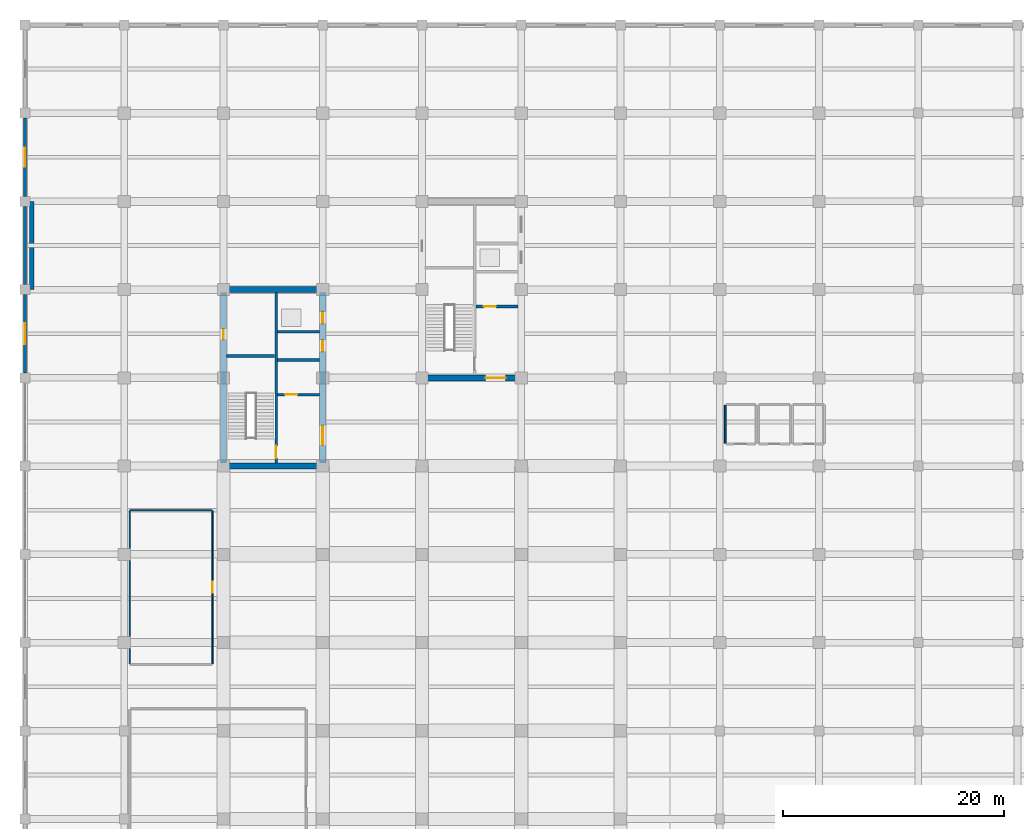
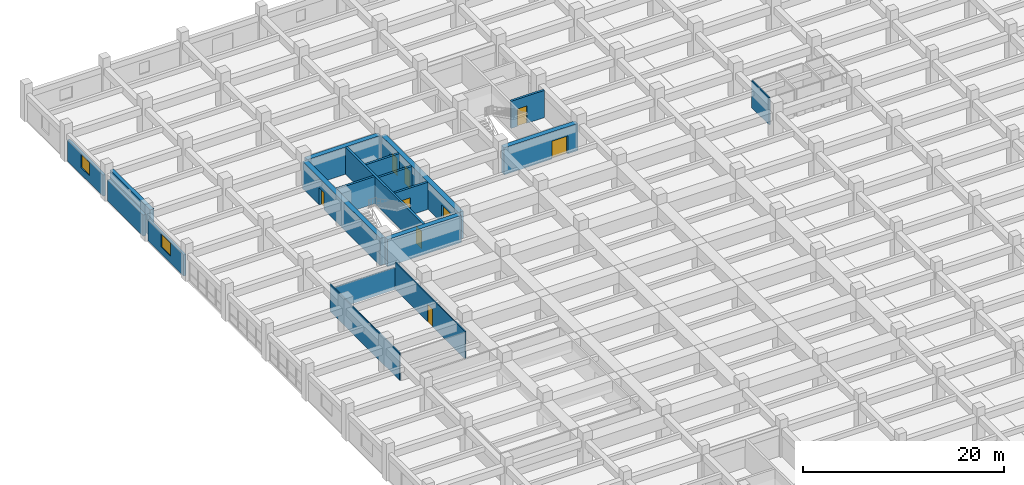
# One storey, part 24 of 40: 19 walls, 9 doors, 2 windows, 11 openings.
"""IFC4 building model written with IfcOpenShell, lengths in metres."""

from ifc_helpers import new_model, si_unit, direction, frame, frame_2d, origin, place, context, subcontext, project, spatial, rectangle, extrude, material, layer, layer_set, type_object, element, fill, save


model = new_model("IFC4")

# Units and contexts
model_context = context("Model", 3, precision=1e-05, world=origin(), true_north=direction((0.0, 1.0)))
body_context = subcontext(model_context, "Body", "Model", "MODEL_VIEW")
ifc_project = project(units=[si_unit("LENGTHUNIT", "METRE"), si_unit("AREAUNIT", "SQUARE_METRE"), si_unit("VOLUMEUNIT", "CUBIC_METRE"), si_unit("PLANEANGLEUNIT", "RADIAN"), si_unit("MASSUNIT", "GRAM", prefix="KILO")], contexts=[model_context])

# Site, building, storey
site_placement = place(None, origin())
site = spatial("IfcSite", under=ifc_project, at=site_placement, CompositionType="ELEMENT")
building_placement = place(site_placement, origin())
building = spatial("IfcBuilding", under=site, at=building_placement, Name="Zaverband Oceanarium and Marine Research Institute", CompositionType="ELEMENT")
storey_placement = place(building_placement, origin())
storey = spatial("IfcBuildingStorey", under=building, at=storey_placement, Name="L00", CompositionType="ELEMENT", Elevation=0.0)

# Walls
ifc_material_1 = material(Name="Concrete C50/60", Category="concrete")
ifc_layer_1 = layer(ifc_material_1, 0.550048828125, Name="Concrete C50/60")
ifc_layer_set_1 = layer_set([ifc_layer_1], Name="Concrete C50/60")
wall_type_1 = type_object("IfcWallType", Name="CW-01", PredefinedType="SHEAR", material=ifc_layer_set_1)
for number, where, z_axis, x_axis, name in (
    (1, (18.27490234375, 80.0, 0.0), (0.0, 0.0, 1.0), (1.0, 0.0, 0.0), "Structural shear wall CW-01"),
    (2, (18.27490234375, 96.0, 0.0), (0.0, 0.0, 1.0), (1.0, 0.0, 0.0), "Structural shear wall CW-01"),
):
    element("IfcWall", number, at=place(storey_placement, frame(where, z_axis=z_axis, x_axis=x_axis)), inside=storey, type_object=wall_type_1, Name=name, PredefinedType="SHEAR", context=body_context, shape_type="SweptSolid", body=[
        extrude(rectangle(XDim=8.4501953125, YDim=0.550048828125, at=frame_2d((4.22509765625, 0.0))), origin(), (0.0, 0.0, 1.0), 3.300048828125),
    ])

# Wall, opening, door
wall_1_placement = place(storey_placement, frame((18.0, 80.27490234375, 0.0), z_axis=(0.0, 0.0, 1.0), x_axis=(0.0, 1.0, 0.0)))
wall_1 = element("IfcWall", 3, at=wall_1_placement, inside=storey, type_object=wall_type_1, Name="Structural shear wall CW-01", PredefinedType="SHEAR", context=body_context, shape_type="SweptSolid", body=[
    extrude(rectangle(XDim=15.4501953125, YDim=0.550048828125, at=frame_2d((7.72509765625, 0.0))), origin(), (0.0, 0.0, 1.0), 3.300048828125),
])
opening_1_placement = place(wall_1_placement, frame((11.199951171875, 0.0, 0.0)))
opening_1 = element("IfcOpeningElement", 4, at=opening_1_placement, cuts=wall_1, Name="Opening FD-03", PredefinedType="OPENING", context=body_context, shape_type="SweptSolid", body=[
    extrude(rectangle(XDim=0.949951171875, YDim=2.10009765625, at=frame_2d((0.47509765625, 1.050048828125))), frame((0.0, 0.287109375, 0.0), z_axis=(0.0, -1.0, 0.0), x_axis=(1.0, 0.0, 0.0)), (0.0, 0.0, 1.0), 0.573974609375),
])
ifc_material_2 = material(Name="Steel S355", Category="steel")
door_type_1 = type_object("IfcDoorType", Name="FD-03", OperationType="NOTDEFINED", PredefinedType="DOOR", material=ifc_material_2)
door_1_placement = place(opening_1_placement, origin())
door_1 = element("IfcDoor", 5, at=door_1_placement, inside=storey, type_object=door_type_1, Name="Service riser access fire door FD-03", OperationType="SINGLE_SWING_RIGHT", OverallHeight=2.10009765625, OverallWidth=0.949951171875, PredefinedType="DOOR", context=body_context, shape_type="SweptSolid", body=[
    extrude(rectangle(XDim=0.949951171875, YDim=2.10009765625, at=frame_2d((0.47509765625, 1.050048828125))), frame((0.0, 0.02490234375, 0.0), z_axis=(0.0, -1.0, 0.0), x_axis=(1.0, 0.0, 0.0)), (0.0, 0.0, 1.0), 0.050048828125),
])
fill(opening_1, door_1)

# Wall, openings, doors
wall_2_placement = place(storey_placement, frame((27.0, 80.27490234375, 0.0), z_axis=(0.0, 0.0, 1.0), x_axis=(0.0, 1.0, 0.0)))
wall_2 = element("IfcWall", 6, at=wall_2_placement, inside=storey, type_object=wall_type_1, Name="Structural shear wall CW-01", PredefinedType="SHEAR", context=body_context, shape_type="SweptSolid", body=[
    extrude(rectangle(XDim=15.4501953125, YDim=0.550048828125, at=frame_2d((7.72509765625, 0.0))), origin(), (0.0, 0.0, 1.0), 3.300048828125),
])
opening_2_placement = place(wall_2_placement, frame((1.60009765625, 0.0, 0.0)))
opening_2 = element("IfcOpeningElement", 7, at=opening_2_placement, cuts=wall_2, Name="Opening FD-02", PredefinedType="OPENING", context=body_context, shape_type="SweptSolid", body=[
    extrude(rectangle(XDim=1.800048828125, YDim=2.179931640625, at=frame_2d((0.89990234375, 1.08984375))), frame((0.0, 0.287109375, 0.0), z_axis=(0.0, -1.0, 0.0), x_axis=(1.0, 0.0, 0.0)), (0.0, 0.0, 1.0), 0.573974609375),
])
opening_3_placement = place(wall_2_placement, frame((10.10009765625, 0.0, 0.0)))
opening_3 = element("IfcOpeningElement", 8, at=opening_3_placement, cuts=wall_2, Name="Opening LD-02", PredefinedType="OPENING", context=body_context, shape_type="SweptSolid", body=[
    extrude(rectangle(XDim=1.050048828125, YDim=2.1201171875, at=frame_2d((0.52490234375, 1.06005859375))), frame((0.0, 0.287109375, 0.0), z_axis=(0.0, -1.0, 0.0), x_axis=(1.0, 0.0, 0.0)), (0.0, 0.0, 1.0), 0.573974609375),
])
opening_4_placement = place(wall_2_placement, frame((12.64990234375, 0.0, 0.0)))
opening_4 = element("IfcOpeningElement", 9, at=opening_4_placement, cuts=wall_2, Name="Opening LD-02", PredefinedType="OPENING", context=body_context, shape_type="SweptSolid", body=[
    extrude(rectangle(XDim=1.050048828125, YDim=2.1201171875, at=frame_2d((0.52490234375, 1.06005859375))), frame((0.0, 0.287109375, 0.0), z_axis=(0.0, -1.0, 0.0), x_axis=(1.0, 0.0, 0.0)), (0.0, 0.0, 1.0), 0.573974609375),
])
door_type_2 = type_object("IfcDoorType", Name="FD-02", OperationType="DOUBLE_DOOR_SINGLE_SWING", PredefinedType="DOOR", material=ifc_material_2)
door_2_placement = place(opening_2_placement, frame((1.800048828125, 0.0, 0.0), z_axis=(0.0, 0.0, 1.0), x_axis=(-1.0, 0.0, 0.0)))
door_2 = element("IfcDoor", 10, at=door_2_placement, inside=storey, type_object=door_type_2, Name="Protected lobby double fire door FD-02", OperationType="DOUBLE_DOOR_SINGLE_SWING", OverallHeight=2.179931640625, OverallWidth=1.800048828125, PredefinedType="DOOR", context=body_context, shape_type="SweptSolid", body=[
    extrude(rectangle(XDim=1.800048828125, YDim=2.179931640625, at=frame_2d((0.89990234375, 1.08984375))), frame((0.0, 0.02490234375, 0.0), z_axis=(0.0, -1.0, 0.0), x_axis=(1.0, 0.0, 0.0)), (0.0, 0.0, 1.0), 0.050048828125),
])
fill(opening_2, door_2)
door_type_3 = type_object("IfcDoorType", Name="LD-02", OperationType="DOUBLE_DOOR_SLIDING", PredefinedType="DOOR", material=ifc_material_2)
door_3_placement = place(opening_3_placement, origin())
door_3 = element("IfcDoor", 11, at=door_3_placement, inside=storey, type_object=door_type_3, Name="Passenger lift sliding landing door LD-02", OperationType="DOUBLE_DOOR_SLIDING", OverallHeight=2.1201171875, OverallWidth=1.050048828125, PredefinedType="DOOR", context=body_context, shape_type="SweptSolid", body=[
    extrude(rectangle(XDim=1.050048828125, YDim=2.1201171875, at=frame_2d((0.52490234375, 1.06005859375))), frame((0.0, 0.02490234375, 0.0), z_axis=(0.0, -1.0, 0.0), x_axis=(1.0, 0.0, 0.0)), (0.0, 0.0, 1.0), 0.050048828125),
])
fill(opening_3, door_3)
door_4_placement = place(opening_4_placement, origin())
door_4 = element("IfcDoor", 12, at=door_4_placement, inside=storey, type_object=door_type_3, Name="Passenger lift sliding landing door LD-02", OperationType="DOUBLE_DOOR_SLIDING", OverallHeight=2.1201171875, OverallWidth=1.050048828125, PredefinedType="DOOR", context=body_context, shape_type="SweptSolid", body=[
    extrude(rectangle(XDim=1.050048828125, YDim=2.1201171875, at=frame_2d((0.52490234375, 1.06005859375))), frame((0.0, 0.02490234375, 0.0), z_axis=(0.0, -1.0, 0.0), x_axis=(1.0, 0.0, 0.0)), (0.0, 0.0, 1.0), 0.050048828125),
])
fill(opening_4, door_4)

# Wall, opening, door
wall_3_placement = place(storey_placement, frame((36.27490234375, 88.0, 0.0), z_axis=(0.0, 0.0, 1.0), x_axis=(1.0, 0.0, 0.0)))
wall_3 = element("IfcWall", 13, at=wall_3_placement, inside=storey, type_object=wall_type_1, Name="Structural shear wall CW-01", PredefinedType="SHEAR", context=body_context, shape_type="SweptSolid", body=[
    extrude(rectangle(XDim=8.4501953125, YDim=0.550048828125, at=frame_2d((4.22509765625, 0.0))), origin(), (0.0, 0.0, 1.0), 3.300048828125),
])
opening_5_placement = place(wall_3_placement, frame((5.5, 0.0, 0.0)))
opening_5 = element("IfcOpeningElement", 14, at=opening_5_placement, cuts=wall_3, Name="Opening FD-02", PredefinedType="OPENING", context=body_context, shape_type="SweptSolid", body=[
    extrude(rectangle(XDim=1.800048828125, YDim=2.179931640625, at=frame_2d((0.89990234375, 1.08984375))), frame((0.0, 0.287109375, 0.0), z_axis=(0.0, -1.0, 0.0), x_axis=(1.0, 0.0, 0.0)), (0.0, 0.0, 1.0), 0.573974609375),
])
door_5_placement = place(opening_5_placement, frame((1.800048828125, 0.0, 0.0), z_axis=(0.0, 0.0, 1.0), x_axis=(-1.0, 0.0, 0.0)))
door_5 = element("IfcDoor", 15, at=door_5_placement, inside=storey, type_object=door_type_2, Name="Protected lobby double fire door FD-02", OperationType="DOUBLE_DOOR_SINGLE_SWING", OverallHeight=2.179931640625, OverallWidth=1.800048828125, PredefinedType="DOOR", context=body_context, shape_type="SweptSolid", body=[
    extrude(rectangle(XDim=1.800048828125, YDim=2.179931640625, at=frame_2d((0.89990234375, 1.08984375))), frame((0.0, 0.02490234375, 0.0), z_axis=(0.0, -1.0, 0.0), x_axis=(1.0, 0.0, 0.0)), (0.0, 0.0, 1.0), 0.050048828125),
])
fill(opening_5, door_5)

# Wall, opening, window
ifc_material_3 = material(Name="Concrete C40/50 precast", Category="concrete")
ifc_layer_2 = layer(ifc_material_3, 0.264892578125, Name="Concrete C40/50 precast")
ifc_layer_set_2 = layer_set([ifc_layer_2], Name="Concrete C40/50 precast")
wall_type_2 = type_object("IfcWallType", Name="EW-265", PredefinedType="STANDARD", material=ifc_layer_set_2)
wall_4_placement = place(storey_placement, frame((0.0, 88.455078125, 0.0), z_axis=(0.0, 0.0, 1.0), x_axis=(0.0, 1.0, 0.0)))
wall_4 = element("IfcWall", 16, at=wall_4_placement, inside=storey, type_object=wall_type_2, Name="Exterior infill wall EW-265", PredefinedType="STANDARD", context=body_context, shape_type="SweptSolid", body=[
    extrude(rectangle(XDim=7.08984375, YDim=0.264892578125, at=frame_2d((3.544921875, 0.0))), origin(), (0.0, 0.0, 1.0), 2.580078125),
])
opening_6_placement = place(wall_4_placement, frame((2.594970703125, 0.0, 0.85009765625)))
opening_6 = element("IfcOpeningElement", 17, at=opening_6_placement, cuts=wall_4, Name="Opening WN-1900x1610", PredefinedType="OPENING", context=body_context, shape_type="SweptSolid", body=[
    extrude(rectangle(XDim=1.89990234375, YDim=1.610107421875, at=frame_2d((0.949951171875, 0.80517578125))), frame((0.0, 0.14453125, 0.0), z_axis=(0.0, -1.0, 0.0), x_axis=(1.0, 0.0, 0.0)), (0.0, 0.0, 1.0), 0.288818359375),
])
ifc_material_4 = material(Name="Thermally broken anodized aluminium and solar-control glass", Category="aluminium")
window_type_1 = type_object("IfcWindowType", Name="WN-1900x1610", PartitioningType="SINGLE_PANEL", PredefinedType="WINDOW", material=ifc_material_4)
window_1_placement = place(opening_6_placement, origin())
window_1 = element("IfcWindow", 18, at=window_1_placement, inside=storey, type_object=window_type_1, Name="Fixed / casement exterior window WN-1900x1610", OverallHeight=1.610107421875, OverallWidth=1.89990234375, PartitioningType="SINGLE_PANEL", PredefinedType="WINDOW", context=body_context, shape_type="SweptSolid", body=[
    extrude(rectangle(XDim=1.89990234375, YDim=1.610107421875, at=frame_2d((0.949951171875, 0.80517578125))), frame((0.0, 0.030029296875, 0.0), z_axis=(0.0, -1.0, 0.0), x_axis=(1.0, 0.0, 0.0)), (0.0, 0.0, 1.0), 0.06005859375),
])
fill(opening_6, window_1)

ifc_layer_3 = layer(ifc_material_3, 0.2900390625, Name="Concrete C40/50 precast")
ifc_layer_set_3 = layer_set([ifc_layer_3], Name="Concrete C40/50 precast")
wall_type_3 = type_object("IfcWallType", Name="EW-290", PredefinedType="STANDARD", material=ifc_layer_set_3)
wall_5_placement = place(storey_placement, frame((0.0, 104.455078125, 0.0), z_axis=(0.0, 0.0, 1.0), x_axis=(0.0, 1.0, 0.0)))
wall_5 = element("IfcWall", 19, at=wall_5_placement, inside=storey, type_object=wall_type_3, Name="Exterior infill wall EW-290", PredefinedType="STANDARD", context=body_context, shape_type="SweptSolid", body=[
    extrude(rectangle(XDim=7.08984375, YDim=0.2900390625, at=frame_2d((3.544921875, 0.0))), origin(), (0.0, 0.0, 1.0), 2.580078125),
])
opening_7_placement = place(wall_5_placement, frame((2.695068359375, 0.0, 0.85009765625)))
opening_7 = element("IfcOpeningElement", 20, at=opening_7_placement, cuts=wall_5, Name="Opening WN-1700x1610", PredefinedType="OPENING", context=body_context, shape_type="SweptSolid", body=[
    extrude(rectangle(XDim=1.699951171875, YDim=1.610107421875, at=frame_2d((0.85009765625, 0.80517578125))), frame((0.0, 0.156982421875, 0.0), z_axis=(0.0, -1.0, 0.0), x_axis=(1.0, 0.0, 0.0)), (0.0, 0.0, 1.0), 0.31396484375),
])
window_type_2 = type_object("IfcWindowType", Name="WN-1700x1610", PartitioningType="SINGLE_PANEL", PredefinedType="WINDOW", material=ifc_material_4)
window_2_placement = place(opening_7_placement, origin())
window_2 = element("IfcWindow", 21, at=window_2_placement, inside=storey, type_object=window_type_2, Name="Fixed / casement exterior window WN-1700x1610", OverallHeight=1.610107421875, OverallWidth=1.699951171875, PartitioningType="SINGLE_PANEL", PredefinedType="WINDOW", context=body_context, shape_type="SweptSolid", body=[
    extrude(rectangle(XDim=1.699951171875, YDim=1.610107421875, at=frame_2d((0.85009765625, 0.80517578125))), frame((0.0, 0.030029296875, 0.0), z_axis=(0.0, -1.0, 0.0), x_axis=(1.0, 0.0, 0.0)), (0.0, 0.0, 1.0), 0.06005859375),
])
fill(opening_7, window_2)

# Walls
ifc_layer_4 = layer(ifc_material_3, 0.31005859375, Name="Concrete C40/50 precast")
ifc_layer_set_4 = layer_set([ifc_layer_4], Name="Concrete C40/50 precast")
wall_type_4 = type_object("IfcWallType", Name="EW-310", PredefinedType="STANDARD", material=ifc_layer_set_4)
wall_6_placement = place(storey_placement, frame((0.0, 96.455078125, 0.0), z_axis=(0.0, 0.0, 1.0), x_axis=(0.0, 1.0, 0.0)))
element("IfcWall", 22, at=wall_6_placement, inside=storey, type_object=wall_type_4, Name="Exterior infill wall EW-310", PredefinedType="STANDARD", context=body_context, shape_type="SweptSolid", body=[
    extrude(rectangle(XDim=7.08984375, YDim=0.31005859375, at=frame_2d((3.544921875, 0.0))), origin(), (0.0, 0.0, 1.0), 2.580078125),
])
ifc_material_5 = material(Name="Insulated metal-stud office partition")
ifc_layer_5 = layer(ifc_material_5, 0.1201171875, Name="Insulated metal-stud office partition")
ifc_layer_set_5 = layer_set([ifc_layer_5], Name="Insulated metal-stud office partition")
wall_type_5 = type_object("IfcWallType", Name="PT-120-OF", PredefinedType="PARTITIONING", material=ifc_layer_set_5)
wall_7_placement = place(storey_placement, frame((9.56005859375, 76.0, 0.0), z_axis=(0.0, 0.0, 1.0), x_axis=(1.0, 0.0, 0.0)))
element("IfcWall", 23, at=wall_7_placement, inside=storey, type_object=wall_type_5, Name="Internal partition PT-120-OF", PredefinedType="PARTITIONING", context=body_context, shape_type="SweptSolid", body=[
    extrude(rectangle(XDim=7.3798828125, YDim=0.1201171875, at=frame_2d((3.68994140625, 0.0))), origin(), (0.0, 0.0, 1.0), 2.699951171875),
])
wall_8_placement = place(storey_placement, frame((9.5, 62.06005859375, 0.0), z_axis=(0.0, 0.0, 1.0), x_axis=(0.0, 1.0, 0.0)))
element("IfcWall", 24, at=wall_8_placement, inside=storey, type_object=wall_type_5, Name="Internal partition PT-120-OF", PredefinedType="PARTITIONING", context=body_context, shape_type="SweptSolid", body=[
    extrude(rectangle(XDim=13.8798828125, YDim=0.1201171875, at=frame_2d((6.93994140625, 0.0))), origin(), (0.0, 0.0, 1.0), 3.300048828125),
])

# Wall, opening, door
wall_9_placement = place(storey_placement, frame((17.0, 62.06005859375, 0.0), z_axis=(0.0, 0.0, 1.0), x_axis=(0.0, 1.0, 0.0)))
wall_9 = element("IfcWall", 25, at=wall_9_placement, inside=storey, type_object=wall_type_5, Name="Internal partition PT-120-OF", PredefinedType="PARTITIONING", context=body_context, shape_type="SweptSolid", body=[
    extrude(rectangle(XDim=13.8798828125, YDim=0.1201171875, at=frame_2d((6.93994140625, 0.0))), origin(), (0.0, 0.0, 1.0), 3.300048828125),
])
opening_8_placement = place(wall_9_placement, frame((6.445068359375, 0.0, 0.0)))
opening_8 = element("IfcOpeningElement", 26, at=opening_8_placement, cuts=wall_9, Name="Opening ID-990x2100", PredefinedType="OPENING", context=body_context, shape_type="SweptSolid", body=[
    extrude(rectangle(XDim=0.989990234375, YDim=2.10009765625, at=frame_2d((0.4951171875, 1.050048828125))), frame((0.0, 0.072021484375, 0.0), z_axis=(0.0, -1.0, 0.0), x_axis=(1.0, 0.0, 0.0)), (0.0, 0.0, 1.0), 0.14404296875),
])
ifc_material_6 = material(Name="Hardwood-veneered acoustic timber", Category="wood")
door_type_4 = type_object("IfcDoorType", Name="ID-990x2100", OperationType="NOTDEFINED", PredefinedType="DOOR", material=ifc_material_6)
door_6_placement = place(opening_8_placement, origin())
door_6 = element("IfcDoor", 27, at=door_6_placement, inside=storey, type_object=door_type_4, Name="Senior fellow office door ID-990x2100", OperationType="SINGLE_SWING_LEFT", OverallHeight=2.10009765625, OverallWidth=0.989990234375, PredefinedType="DOOR", context=body_context, shape_type="SweptSolid", body=[
    extrude(rectangle(XDim=0.989990234375, YDim=2.10009765625, at=frame_2d((0.4951171875, 1.050048828125))), frame((0.0, 0.02490234375, 0.0), z_axis=(0.0, -1.0, 0.0), x_axis=(1.0, 0.0, 0.0)), (0.0, 0.0, 1.0), 0.050048828125),
])
fill(opening_8, door_6)

# Wall
ifc_material_7 = material(Name="Ceramic-tiled wet-room blockwork", Category="masonry")
ifc_layer_6 = layer(ifc_material_7, 0.14990234375, Name="Ceramic-tiled wet-room blockwork")
ifc_layer_set_6 = layer_set([ifc_layer_6], Name="Ceramic-tiled wet-room blockwork")
wall_type_6 = type_object("IfcWallType", Name="PT-150-WC", PredefinedType="PARTITIONING", material=ifc_layer_set_6)
wall_10_placement = place(storey_placement, frame((63.5, 82.074951171875, 0.0), z_axis=(0.0, 0.0, 1.0), x_axis=(0.0, 1.0, 0.0)))
element("IfcWall", 28, at=wall_10_placement, inside=storey, type_object=wall_type_6, Name="Internal partition PT-150-WC", PredefinedType="PARTITIONING", context=body_context, shape_type="SweptSolid", body=[
    extrude(rectangle(XDim=3.449951171875, YDim=0.14990234375, at=frame_2d((1.72509765625, 0.0))), origin(), (0.0, 0.0, 1.0), 3.300048828125),
])

# Wall, opening, door
ifc_layer_7 = layer(ifc_material_1, 0.25, Name="Concrete C50/60")
ifc_layer_set_7 = layer_set([ifc_layer_7], Name="Concrete C50/60")
wall_type_7 = type_object("IfcWallType", Name="PW-CORE-250", PredefinedType="SOLIDWALL", material=ifc_layer_set_7)
wall_11_placement = place(storey_placement, frame((22.77490234375, 80.27490234375, 0.0), z_axis=(0.0, 0.0, 1.0), x_axis=(0.0, 1.0, 0.0)))
wall_11 = element("IfcWall", 29, at=wall_11_placement, inside=storey, type_object=wall_type_7, Name="Structural concrete wall PW-CORE-250", PredefinedType="SOLIDWALL", context=body_context, shape_type="SweptSolid", body=[
    extrude(rectangle(XDim=15.4501953125, YDim=0.25, at=frame_2d((7.72509765625, 0.0))), origin(), (0.0, 0.0, 1.0), 3.300048828125),
])
opening_9_placement = place(wall_11_placement, frame((0.449951171875, 0.0, 0.0)))
opening_9 = element("IfcOpeningElement", 30, at=opening_9_placement, cuts=wall_11, Name="Opening FD-01", PredefinedType="OPENING", context=body_context, shape_type="SweptSolid", body=[
    extrude(rectangle(XDim=1.10009765625, YDim=2.14990234375, at=frame_2d((0.550048828125, 1.074951171875))), frame((0.0, 0.136962890625, 0.0), z_axis=(0.0, -1.0, 0.0), x_axis=(1.0, 0.0, 0.0)), (0.0, 0.0, 1.0), 0.27392578125),
])
door_type_5 = type_object("IfcDoorType", Name="FD-01", OperationType="NOTDEFINED", PredefinedType="DOOR", material=ifc_material_2)
door_7_placement = place(opening_9_placement, frame((1.10009765625, 0.0, 0.0), z_axis=(0.0, 0.0, 1.0), x_axis=(-1.0, 0.0, 0.0)))
door_7 = element("IfcDoor", 31, at=door_7_placement, inside=storey, type_object=door_type_5, Name="Core stair / lobby fire door FD-01", OperationType="SINGLE_SWING_LEFT", OverallHeight=2.14990234375, OverallWidth=1.10009765625, PredefinedType="DOOR", context=body_context, shape_type="SweptSolid", body=[
    extrude(rectangle(XDim=1.10009765625, YDim=2.14990234375, at=frame_2d((0.550048828125, 1.074951171875))), frame((0.0, 0.02490234375, 0.0), z_axis=(0.0, -1.0, 0.0), x_axis=(1.0, 0.0, 0.0)), (0.0, 0.0, 1.0), 0.050048828125),
])
fill(opening_9, door_7)

# Wall
wall_12_placement = place(storey_placement, frame((18.27490234375, 89.97509765625, 0.0), z_axis=(0.0, 0.0, 1.0), x_axis=(1.0, 0.0, 0.0)))
element("IfcWall", 32, at=wall_12_placement, inside=storey, type_object=wall_type_7, Name="Structural concrete wall PW-CORE-250", PredefinedType="SOLIDWALL", context=body_context, shape_type="SweptSolid", body=[
    extrude(rectangle(XDim=4.3701171875, YDim=0.25, at=frame_2d((2.18505859375, 0.0))), origin(), (0.0, 0.0, 1.0), 3.300048828125),
])

# Wall, opening, door
wall_13_placement = place(storey_placement, frame((22.905029296875, 86.47509765625, 0.0), z_axis=(0.0, 0.0, 1.0), x_axis=(1.0, 0.0, 0.0)))
wall_13 = element("IfcWall", 33, at=wall_13_placement, inside=storey, type_object=wall_type_7, Name="Structural concrete wall PW-CORE-250", PredefinedType="SOLIDWALL", context=body_context, shape_type="SweptSolid", body=[
    extrude(rectangle(XDim=3.820068359375, YDim=0.25, at=frame_2d((1.91015625, 0.0))), origin(), (0.0, 0.0, 1.0), 3.300048828125),
])
opening_10_placement = place(wall_13_placement, frame((0.695068359375, 0.0, 0.0)))
opening_10 = element("IfcOpeningElement", 34, at=opening_10_placement, cuts=wall_13, Name="Opening LD-01", PredefinedType="OPENING", context=body_context, shape_type="SweptSolid", body=[
    extrude(rectangle(XDim=1.10009765625, YDim=2.1201171875, at=frame_2d((0.550048828125, 1.06005859375))), frame((0.0, 0.136962890625, 0.0), z_axis=(0.0, -1.0, 0.0), x_axis=(1.0, 0.0, 0.0)), (0.0, 0.0, 1.0), 0.27392578125),
])
door_type_6 = type_object("IfcDoorType", Name="LD-01", OperationType="DOUBLE_DOOR_SLIDING", PredefinedType="DOOR", material=ifc_material_2)
door_8_placement = place(opening_10_placement, origin())
door_8 = element("IfcDoor", 35, at=door_8_placement, inside=storey, type_object=door_type_6, Name="Firefighting lift sliding landing door LD-01", OperationType="DOUBLE_DOOR_SLIDING", OverallHeight=2.1201171875, OverallWidth=1.10009765625, PredefinedType="DOOR", context=body_context, shape_type="SweptSolid", body=[
    extrude(rectangle(XDim=1.10009765625, YDim=2.1201171875, at=frame_2d((0.550048828125, 1.06005859375))), frame((0.0, 0.02490234375, 0.0), z_axis=(0.0, -1.0, 0.0), x_axis=(1.0, 0.0, 0.0)), (0.0, 0.0, 1.0), 0.050048828125),
])
fill(opening_10, door_8)

# Walls
for number, where, z_axis, x_axis, name in (
    (36, (22.905029296875, 89.6298828125, 0.0), (0.0, 0.0, 1.0), (1.0, 0.0, 0.0), "Structural concrete wall PW-CORE-250"),
    (37, (22.905029296875, 92.179931640625, 0.0), (0.0, 0.0, 1.0), (1.0, 0.0, 0.0), "Structural concrete wall PW-CORE-250"),
):
    element("IfcWall", number, at=place(storey_placement, frame(where, z_axis=z_axis, x_axis=x_axis)), inside=storey, type_object=wall_type_7, Name=name, PredefinedType="SOLIDWALL", context=body_context, shape_type="SweptSolid", body=[
        extrude(rectangle(XDim=3.820068359375, YDim=0.25, at=frame_2d((1.91015625, 0.0))), origin(), (0.0, 0.0, 1.0), 3.300048828125),
    ])

# Wall, opening, door
wall_14_placement = place(storey_placement, frame((40.905029296875, 94.47509765625, 0.0), z_axis=(0.0, 0.0, 1.0), x_axis=(1.0, 0.0, 0.0)))
wall_14 = element("IfcWall", 38, at=wall_14_placement, inside=storey, type_object=wall_type_7, Name="Structural concrete wall PW-CORE-250", PredefinedType="SOLIDWALL", context=body_context, shape_type="SweptSolid", body=[
    extrude(rectangle(XDim=3.820068359375, YDim=0.25, at=frame_2d((1.91015625, 0.0))), origin(), (0.0, 0.0, 1.0), 3.300048828125),
])
opening_11_placement = place(wall_14_placement, frame((0.695068359375, 0.0, 0.0)))
opening_11 = element("IfcOpeningElement", 39, at=opening_11_placement, cuts=wall_14, Name="Opening LD-01", PredefinedType="OPENING", context=body_context, shape_type="SweptSolid", body=[
    extrude(rectangle(XDim=1.10009765625, YDim=2.1201171875, at=frame_2d((0.550048828125, 1.06005859375))), frame((0.0, 0.136962890625, 0.0), z_axis=(0.0, -1.0, 0.0), x_axis=(1.0, 0.0, 0.0)), (0.0, 0.0, 1.0), 0.27392578125),
])
door_9_placement = place(opening_11_placement, origin())
door_9 = element("IfcDoor", 40, at=door_9_placement, inside=storey, type_object=door_type_6, Name="Firefighting lift sliding landing door LD-01", OperationType="DOUBLE_DOOR_SLIDING", OverallHeight=2.1201171875, OverallWidth=1.10009765625, PredefinedType="DOOR", context=body_context, shape_type="SweptSolid", body=[
    extrude(rectangle(XDim=1.10009765625, YDim=2.1201171875, at=frame_2d((0.550048828125, 1.06005859375))), frame((0.0, 0.02490234375, 0.0), z_axis=(0.0, -1.0, 0.0), x_axis=(1.0, 0.0, 0.0)), (0.0, 0.0, 1.0), 0.050048828125),
])
fill(opening_11, door_9)

# Wall
ifc_layer_8 = layer(ifc_material_1, 0.419921875, Name="Concrete C50/60")
ifc_layer_set_8 = layer_set([ifc_layer_8], Name="Concrete C50/60")
wall_type_8 = type_object("IfcWallType", Name="SW-01", PredefinedType="SHEAR", material=ifc_layer_set_8)
wall_15_placement = place(storey_placement, frame((0.60009765625, 96.0, 0.0), z_axis=(0.0, 0.0, 1.0), x_axis=(0.0, 1.0, 0.0)))
element("IfcWall", 41, at=wall_15_placement, inside=storey, type_object=wall_type_8, Name="Structural shear wall SW-01", PredefinedType="SHEAR", context=body_context, shape_type="SweptSolid", body=[
    extrude(rectangle(XDim=8.0, YDim=0.419921875, at=frame_2d((4.0, 0.0))), origin(), (0.0, 0.0, 1.0), 3.300048828125),
])

save(model, "model.ifc")
